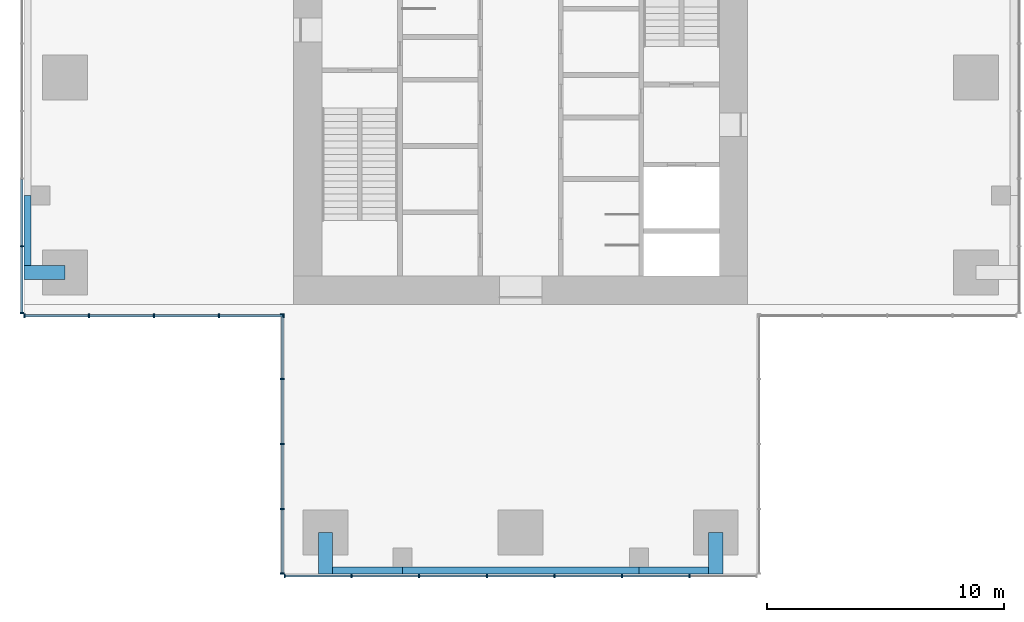
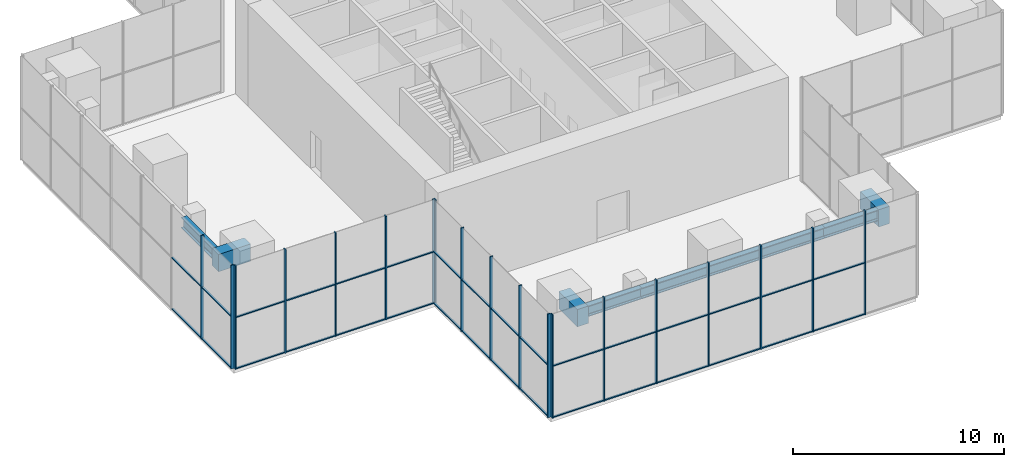
# One storey, part 2 of 11: 51 members, 7 beams, 4 elements without a shape of their own.
"""IFC4 building model written with IfcOpenShell, lengths in metres."""

from ifc_helpers import new_model, si_unit, direction, frame, origin, origin_2d, place, context, subcontext, project, spatial, rectangle, i_section, extrude, material, material_profile, profile_set, type_object, element, aggregate, save


model = new_model("IFC4")

# Units and contexts
model_context = context("Model", 3, precision=1e-05, world=origin(), true_north=direction((0.0, 1.0)))
body_context = subcontext(model_context, "Body", "Model", "MODEL_VIEW")
ifc_project = project(units=[si_unit("LENGTHUNIT", "METRE"), si_unit("AREAUNIT", "SQUARE_METRE"), si_unit("VOLUMEUNIT", "CUBIC_METRE"), si_unit("PLANEANGLEUNIT", "RADIAN"), si_unit("MASSUNIT", "GRAM", prefix="KILO")], contexts=[model_context])

# Site, building, storey
site_placement = place(None, origin())
site = spatial("IfcSite", under=ifc_project, at=site_placement, CompositionType="ELEMENT")
building_placement = place(site_placement, origin())
building = spatial("IfcBuilding", under=site, at=building_placement, Name="Svetlomir Tower", CompositionType="ELEMENT")
storey_placement = place(building_placement, frame((0.0, 0.0, 277.89990234375)))
storey = spatial("IfcBuildingStorey", under=building, at=storey_placement, Name="L66", CompositionType="ELEMENT", Elevation=277.89990234375)

# Curtain wall, members
ifc_material_1 = material(Name="Bronze anodised aluminium curtain wall", Category="aluminium")
curtain_wall_type = type_object("IfcCurtainWallType", Name="CURTAIN WALL CW6 LANTERN", PredefinedType="NOTDEFINED", material=ifc_material_1)
curtain_wall_1_placement = place(storey_placement, origin())
curtain_wall_1 = element("IfcCurtainWall", 1, at=curtain_wall_1_placement, inside=storey, type_object=curtain_wall_type, Name="Curtain wall CW6 L66", PredefinedType="NOTDEFINED")
ifc_material_2 = material(Name="Bronze anodised aluminium", Category="aluminium")
ifc_material_profile_1 = material_profile(ifc_material_2, rectangle(XDim=0.06005859375, YDim=0.159912109375, at=origin_2d()), Name="AL 60x160")
ifc_profile_set_1 = profile_set([ifc_material_profile_1], Name="Bronze anodised aluminium 6063-T6")
member_type_1 = type_object("IfcMemberType", Name="CW6 MULLION 60x160", PredefinedType="MULLION", material=ifc_profile_set_1)
member_1_placement = place(storey_placement, frame((11.030029296875, -0.080078125, 0.0), z_axis=(0.0, 0.0, 1.0), x_axis=(1.0, 0.0, 0.0)))
member_1 = element("IfcMember", 2, at=member_1_placement, type_object=member_type_1, Name="CW6 mullion 1", PredefinedType="MULLION", context=body_context, shape_type="SweptSolid", body=[
    extrude(rectangle(XDim=0.06005859375, YDim=0.159912109375, at=origin_2d()), origin(), (0.0, 0.0, 1.0), 6.0),
])
member_2_placement = place(storey_placement, frame((13.857177734375, -0.080078125, 0.0), z_axis=(0.0, 0.0, 1.0), x_axis=(1.0, 0.0, 0.0)))
member_2 = element("IfcMember", 3, at=member_2_placement, type_object=member_type_1, Name="CW6 mullion 2", PredefinedType="MULLION", context=body_context, shape_type="SweptSolid", body=[
    extrude(rectangle(XDim=0.06005859375, YDim=0.159912109375, at=origin_2d()), origin(), (0.0, 0.0, 1.0), 6.0),
])
member_3_placement = place(storey_placement, frame((16.71435546875, -0.080078125, 0.0), z_axis=(0.0, 0.0, 1.0), x_axis=(1.0, 0.0, 0.0)))
member_3 = element("IfcMember", 4, at=member_3_placement, type_object=member_type_1, Name="CW6 mullion 3", PredefinedType="MULLION", context=body_context, shape_type="SweptSolid", body=[
    extrude(rectangle(XDim=0.06005859375, YDim=0.159912109375, at=origin_2d()), origin(), (0.0, 0.0, 1.0), 6.0),
])
member_4_placement = place(storey_placement, frame((19.571533203125, -0.080078125, 0.0), z_axis=(0.0, 0.0, 1.0), x_axis=(1.0, 0.0, 0.0)))
member_4 = element("IfcMember", 5, at=member_4_placement, type_object=member_type_1, Name="CW6 mullion 4", PredefinedType="MULLION", context=body_context, shape_type="SweptSolid", body=[
    extrude(rectangle(XDim=0.06005859375, YDim=0.159912109375, at=origin_2d()), origin(), (0.0, 0.0, 1.0), 6.0),
])
member_5_placement = place(storey_placement, frame((22.428466796875, -0.080078125, 0.0), z_axis=(0.0, 0.0, 1.0), x_axis=(1.0, 0.0, 0.0)))
member_5 = element("IfcMember", 6, at=member_5_placement, type_object=member_type_1, Name="CW6 mullion 5", PredefinedType="MULLION", context=body_context, shape_type="SweptSolid", body=[
    extrude(rectangle(XDim=0.06005859375, YDim=0.159912109375, at=origin_2d()), origin(), (0.0, 0.0, 1.0), 6.0),
])
member_6_placement = place(storey_placement, frame((25.28564453125, -0.080078125, 0.0), z_axis=(0.0, 0.0, 1.0), x_axis=(1.0, 0.0, 0.0)))
member_6 = element("IfcMember", 7, at=member_6_placement, type_object=member_type_1, Name="CW6 mullion 6", PredefinedType="MULLION", context=body_context, shape_type="SweptSolid", body=[
    extrude(rectangle(XDim=0.06005859375, YDim=0.159912109375, at=origin_2d()), origin(), (0.0, 0.0, 1.0), 6.0),
])
member_7_placement = place(storey_placement, frame((28.142822265625, -0.080078125, 0.0), z_axis=(0.0, 0.0, 1.0), x_axis=(1.0, 0.0, 0.0)))
member_7 = element("IfcMember", 8, at=member_7_placement, type_object=member_type_1, Name="CW6 mullion 7", PredefinedType="MULLION", context=body_context, shape_type="SweptSolid", body=[
    extrude(rectangle(XDim=0.06005859375, YDim=0.159912109375, at=origin_2d()), origin(), (0.0, 0.0, 1.0), 6.0),
])

curtain_wall_2_placement = place(storey_placement, origin())
curtain_wall_2 = element("IfcCurtainWall", 9, at=curtain_wall_2_placement, inside=storey, type_object=curtain_wall_type, Name="Curtain wall CW6 L66", PredefinedType="NOTDEFINED")
member_8_placement = place(storey_placement, frame((-0.080078125, 13.857177734375, 0.0), z_axis=(0.0, 0.0, 1.0), x_axis=(0.0, -1.0, 0.0)))
member_8 = element("IfcMember", 10, at=member_8_placement, type_object=member_type_1, Name="CW6 mullion 7", PredefinedType="MULLION", context=body_context, shape_type="SweptSolid", body=[
    extrude(rectangle(XDim=0.06005859375, YDim=0.159912109375, at=origin_2d()), origin(), (0.0, 0.0, 1.0), 6.0),
])
member_9_placement = place(storey_placement, frame((-0.080078125, 11.030029296875, 0.0), z_axis=(0.0, 0.0, 1.0), x_axis=(0.0, -1.0, 0.0)))
member_9 = element("IfcMember", 11, at=member_9_placement, type_object=member_type_1, Name="CW6 mullion 8", PredefinedType="MULLION", context=body_context, shape_type="SweptSolid", body=[
    extrude(rectangle(XDim=0.06005859375, YDim=0.159912109375, at=origin_2d()), origin(), (0.0, 0.0, 1.0), 6.0),
])

curtain_wall_3_placement = place(storey_placement, origin())
curtain_wall_3 = element("IfcCurtainWall", 12, at=curtain_wall_3_placement, inside=storey, type_object=curtain_wall_type, Name="Curtain wall CW6 L66", PredefinedType="NOTDEFINED")
member_10_placement = place(storey_placement, frame((0.030029296875, 10.919921875, 0.0), z_axis=(0.0, 0.0, 1.0), x_axis=(1.0, 0.0, 0.0)))
member_10 = element("IfcMember", 13, at=member_10_placement, type_object=member_type_1, Name="CW6 mullion 1", PredefinedType="MULLION", context=body_context, shape_type="SweptSolid", body=[
    extrude(rectangle(XDim=0.06005859375, YDim=0.159912109375, at=origin_2d()), origin(), (0.0, 0.0, 1.0), 6.0),
])
member_11_placement = place(storey_placement, frame((2.75, 10.919921875, 0.0), z_axis=(0.0, 0.0, 1.0), x_axis=(1.0, 0.0, 0.0)))
member_11 = element("IfcMember", 14, at=member_11_placement, type_object=member_type_1, Name="CW6 mullion 2", PredefinedType="MULLION", context=body_context, shape_type="SweptSolid", body=[
    extrude(rectangle(XDim=0.06005859375, YDim=0.159912109375, at=origin_2d()), origin(), (0.0, 0.0, 1.0), 6.0),
])
member_12_placement = place(storey_placement, frame((5.5, 10.919921875, 0.0), z_axis=(0.0, 0.0, 1.0), x_axis=(1.0, 0.0, 0.0)))
member_12 = element("IfcMember", 15, at=member_12_placement, type_object=member_type_1, Name="CW6 mullion 3", PredefinedType="MULLION", context=body_context, shape_type="SweptSolid", body=[
    extrude(rectangle(XDim=0.06005859375, YDim=0.159912109375, at=origin_2d()), origin(), (0.0, 0.0, 1.0), 6.0),
])
member_13_placement = place(storey_placement, frame((8.25, 10.919921875, 0.0), z_axis=(0.0, 0.0, 1.0), x_axis=(1.0, 0.0, 0.0)))
member_13 = element("IfcMember", 16, at=member_13_placement, type_object=member_type_1, Name="CW6 mullion 4", PredefinedType="MULLION", context=body_context, shape_type="SweptSolid", body=[
    extrude(rectangle(XDim=0.06005859375, YDim=0.159912109375, at=origin_2d()), origin(), (0.0, 0.0, 1.0), 6.0),
])
member_14_placement = place(storey_placement, frame((10.969970703125, 10.919921875, 0.0), z_axis=(0.0, 0.0, 1.0), x_axis=(1.0, 0.0, 0.0)))
member_14 = element("IfcMember", 17, at=member_14_placement, type_object=member_type_1, Name="CW6 mullion 5", PredefinedType="MULLION", context=body_context, shape_type="SweptSolid", body=[
    extrude(rectangle(XDim=0.06005859375, YDim=0.159912109375, at=origin_2d()), origin(), (0.0, 0.0, 1.0), 6.0),
])

curtain_wall_4_placement = place(storey_placement, origin())
curtain_wall_4 = element("IfcCurtainWall", 18, at=curtain_wall_4_placement, inside=storey, type_object=curtain_wall_type, Name="Curtain wall CW6 L66", PredefinedType="NOTDEFINED")
member_15_placement = place(storey_placement, frame((10.919921875, 10.969970703125, 0.0), z_axis=(0.0, 0.0, 1.0), x_axis=(0.0, -1.0, 0.0)))
member_15 = element("IfcMember", 19, at=member_15_placement, type_object=member_type_1, Name="CW6 mullion 1", PredefinedType="MULLION", context=body_context, shape_type="SweptSolid", body=[
    extrude(rectangle(XDim=0.06005859375, YDim=0.159912109375, at=origin_2d()), origin(), (0.0, 0.0, 1.0), 6.0),
])
member_16_placement = place(storey_placement, frame((10.919921875, 8.25, 0.0), z_axis=(0.0, 0.0, 1.0), x_axis=(0.0, -1.0, 0.0)))
member_16 = element("IfcMember", 20, at=member_16_placement, type_object=member_type_1, Name="CW6 mullion 2", PredefinedType="MULLION", context=body_context, shape_type="SweptSolid", body=[
    extrude(rectangle(XDim=0.06005859375, YDim=0.159912109375, at=origin_2d()), origin(), (0.0, 0.0, 1.0), 6.0),
])
member_17_placement = place(storey_placement, frame((10.919921875, 5.5, 0.0), z_axis=(0.0, 0.0, 1.0), x_axis=(0.0, -1.0, 0.0)))
member_17 = element("IfcMember", 21, at=member_17_placement, type_object=member_type_1, Name="CW6 mullion 3", PredefinedType="MULLION", context=body_context, shape_type="SweptSolid", body=[
    extrude(rectangle(XDim=0.06005859375, YDim=0.159912109375, at=origin_2d()), origin(), (0.0, 0.0, 1.0), 6.0),
])
member_18_placement = place(storey_placement, frame((10.919921875, 2.75, 0.0), z_axis=(0.0, 0.0, 1.0), x_axis=(0.0, -1.0, 0.0)))
member_18 = element("IfcMember", 22, at=member_18_placement, type_object=member_type_1, Name="CW6 mullion 4", PredefinedType="MULLION", context=body_context, shape_type="SweptSolid", body=[
    extrude(rectangle(XDim=0.06005859375, YDim=0.159912109375, at=origin_2d()), origin(), (0.0, 0.0, 1.0), 6.0),
])
member_19_placement = place(storey_placement, frame((10.919921875, 0.030029296875, 0.0), z_axis=(0.0, 0.0, 1.0), x_axis=(0.0, -1.0, 0.0)))
member_19 = element("IfcMember", 23, at=member_19_placement, type_object=member_type_1, Name="CW6 mullion 5", PredefinedType="MULLION", context=body_context, shape_type="SweptSolid", body=[
    extrude(rectangle(XDim=0.06005859375, YDim=0.159912109375, at=origin_2d()), origin(), (0.0, 0.0, 1.0), 6.0),
])

# Member
ifc_material_3 = material(Name="Bronze anodised aluminium", Category="aluminium")
ifc_material_profile_2 = material_profile(ifc_material_3, rectangle(XDim=0.10009765625, YDim=0.06005859375, at=origin_2d()), Name="AL 100x60")
ifc_profile_set_2 = profile_set([ifc_material_profile_2], Name="Bronze anodised aluminium 6063-T6")
member_type_2 = type_object("IfcMemberType", Name="CW6 TRANSOM 60x100", PredefinedType="USERDEFINED", material=ifc_profile_set_2)
member_20_placement = place(storey_placement, frame((11.06005859375, -0.080078125, 0.030029296875), z_axis=(1.0, 0.0, 0.0), x_axis=(0.0, 1.0, 0.0)))
member_20 = element("IfcMember", 24, at=member_20_placement, type_object=member_type_2, Name="CW6 transom 1.1", ObjectType="TRANSOM", PredefinedType="USERDEFINED", context=body_context, shape_type="SweptSolid", body=[
    extrude(rectangle(XDim=0.10009765625, YDim=0.06005859375, at=origin_2d()), origin(), (0.0, 0.0, 1.0), 2.76708984375),
])

member_21_placement = place(storey_placement, frame((11.06005859375, -0.080078125, 3.0), z_axis=(1.0, 0.0, 0.0), x_axis=(0.0, 1.0, 0.0)))
member_21 = element("IfcMember", 25, at=member_21_placement, type_object=member_type_2, Name="CW6 transom 1.2", ObjectType="TRANSOM", PredefinedType="USERDEFINED", context=body_context, shape_type="SweptSolid", body=[
    extrude(rectangle(XDim=0.10009765625, YDim=0.06005859375, at=origin_2d()), origin(), (0.0, 0.0, 1.0), 2.76708984375),
])

member_22_placement = place(storey_placement, frame((13.88720703125, -0.080078125, 0.030029296875), z_axis=(1.0, 0.0, 0.0), x_axis=(0.0, 1.0, 0.0)))
member_22 = element("IfcMember", 26, at=member_22_placement, type_object=member_type_2, Name="CW6 transom 2.1", ObjectType="TRANSOM", PredefinedType="USERDEFINED", context=body_context, shape_type="SweptSolid", body=[
    extrude(rectangle(XDim=0.10009765625, YDim=0.06005859375, at=origin_2d()), origin(), (0.0, 0.0, 1.0), 2.797119140625),
])

member_23_placement = place(storey_placement, frame((13.88720703125, -0.080078125, 3.0), z_axis=(1.0, 0.0, 0.0), x_axis=(0.0, 1.0, 0.0)))
member_23 = element("IfcMember", 27, at=member_23_placement, type_object=member_type_2, Name="CW6 transom 2.2", ObjectType="TRANSOM", PredefinedType="USERDEFINED", context=body_context, shape_type="SweptSolid", body=[
    extrude(rectangle(XDim=0.10009765625, YDim=0.06005859375, at=origin_2d()), origin(), (0.0, 0.0, 1.0), 2.797119140625),
])

member_24_placement = place(storey_placement, frame((16.744384765625, -0.080078125, 0.030029296875), z_axis=(1.0, 0.0, 0.0), x_axis=(0.0, 1.0, 0.0)))
member_24 = element("IfcMember", 28, at=member_24_placement, type_object=member_type_2, Name="CW6 transom 3.1", ObjectType="TRANSOM", PredefinedType="USERDEFINED", context=body_context, shape_type="SweptSolid", body=[
    extrude(rectangle(XDim=0.10009765625, YDim=0.06005859375, at=origin_2d()), origin(), (0.0, 0.0, 1.0), 2.797119140625),
])

member_25_placement = place(storey_placement, frame((16.744384765625, -0.080078125, 3.0), z_axis=(1.0, 0.0, 0.0), x_axis=(0.0, 1.0, 0.0)))
member_25 = element("IfcMember", 29, at=member_25_placement, type_object=member_type_2, Name="CW6 transom 3.2", ObjectType="TRANSOM", PredefinedType="USERDEFINED", context=body_context, shape_type="SweptSolid", body=[
    extrude(rectangle(XDim=0.10009765625, YDim=0.06005859375, at=origin_2d()), origin(), (0.0, 0.0, 1.0), 2.797119140625),
])

member_26_placement = place(storey_placement, frame((19.601318359375, -0.080078125, 0.030029296875), z_axis=(1.0, 0.0, 0.0), x_axis=(0.0, 1.0, 0.0)))
member_26 = element("IfcMember", 30, at=member_26_placement, type_object=member_type_2, Name="CW6 transom 4.1", ObjectType="TRANSOM", PredefinedType="USERDEFINED", context=body_context, shape_type="SweptSolid", body=[
    extrude(rectangle(XDim=0.10009765625, YDim=0.06005859375, at=origin_2d()), origin(), (0.0, 0.0, 1.0), 2.79736328125),
])

member_27_placement = place(storey_placement, frame((19.601318359375, -0.080078125, 3.0), z_axis=(1.0, 0.0, 0.0), x_axis=(0.0, 1.0, 0.0)))
member_27 = element("IfcMember", 31, at=member_27_placement, type_object=member_type_2, Name="CW6 transom 4.2", ObjectType="TRANSOM", PredefinedType="USERDEFINED", context=body_context, shape_type="SweptSolid", body=[
    extrude(rectangle(XDim=0.10009765625, YDim=0.06005859375, at=origin_2d()), origin(), (0.0, 0.0, 1.0), 2.79736328125),
])

member_28_placement = place(storey_placement, frame((22.45849609375, -0.080078125, 0.030029296875), z_axis=(1.0, 0.0, 0.0), x_axis=(0.0, 1.0, 0.0)))
member_28 = element("IfcMember", 32, at=member_28_placement, type_object=member_type_2, Name="CW6 transom 5.1", ObjectType="TRANSOM", PredefinedType="USERDEFINED", context=body_context, shape_type="SweptSolid", body=[
    extrude(rectangle(XDim=0.10009765625, YDim=0.06005859375, at=origin_2d()), origin(), (0.0, 0.0, 1.0), 2.797119140625),
])

member_29_placement = place(storey_placement, frame((22.45849609375, -0.080078125, 3.0), z_axis=(1.0, 0.0, 0.0), x_axis=(0.0, 1.0, 0.0)))
member_29 = element("IfcMember", 33, at=member_29_placement, type_object=member_type_2, Name="CW6 transom 5.2", ObjectType="TRANSOM", PredefinedType="USERDEFINED", context=body_context, shape_type="SweptSolid", body=[
    extrude(rectangle(XDim=0.10009765625, YDim=0.06005859375, at=origin_2d()), origin(), (0.0, 0.0, 1.0), 2.797119140625),
])

member_30_placement = place(storey_placement, frame((25.315673828125, -0.080078125, 0.030029296875), z_axis=(1.0, 0.0, 0.0), x_axis=(0.0, 1.0, 0.0)))
member_30 = element("IfcMember", 34, at=member_30_placement, type_object=member_type_2, Name="CW6 transom 6.1", ObjectType="TRANSOM", PredefinedType="USERDEFINED", context=body_context, shape_type="SweptSolid", body=[
    extrude(rectangle(XDim=0.10009765625, YDim=0.06005859375, at=origin_2d()), origin(), (0.0, 0.0, 1.0), 2.797119140625),
])

member_31_placement = place(storey_placement, frame((25.315673828125, -0.080078125, 3.0), z_axis=(1.0, 0.0, 0.0), x_axis=(0.0, 1.0, 0.0)))
member_31 = element("IfcMember", 35, at=member_31_placement, type_object=member_type_2, Name="CW6 transom 6.2", ObjectType="TRANSOM", PredefinedType="USERDEFINED", context=body_context, shape_type="SweptSolid", body=[
    extrude(rectangle(XDim=0.10009765625, YDim=0.06005859375, at=origin_2d()), origin(), (0.0, 0.0, 1.0), 2.797119140625),
])

aggregate(curtain_wall_1, [member_1, member_2, member_3, member_4, member_5, member_6, member_7, member_20, member_21, member_22, member_23, member_24, member_25, member_26, member_27, member_28, member_29, member_30, member_31])

member_32_placement = place(storey_placement, frame((-0.080078125, 16.684326171875, 0.030029296875), z_axis=(0.0, -1.0, 0.0), x_axis=(1.0, 0.0, 0.0)))
member_32 = element("IfcMember", 36, at=member_32_placement, type_object=member_type_2, Name="CW6 transom 6.1", ObjectType="TRANSOM", PredefinedType="USERDEFINED", context=body_context, shape_type="SweptSolid", body=[
    extrude(rectangle(XDim=0.10009765625, YDim=0.06005859375, at=origin_2d()), origin(), (0.0, 0.0, 1.0), 2.797119140625),
])

member_33_placement = place(storey_placement, frame((-0.080078125, 16.684326171875, 3.0), z_axis=(0.0, -1.0, 0.0), x_axis=(1.0, 0.0, 0.0)))
member_33 = element("IfcMember", 37, at=member_33_placement, type_object=member_type_2, Name="CW6 transom 6.2", ObjectType="TRANSOM", PredefinedType="USERDEFINED", context=body_context, shape_type="SweptSolid", body=[
    extrude(rectangle(XDim=0.10009765625, YDim=0.06005859375, at=origin_2d()), origin(), (0.0, 0.0, 1.0), 2.797119140625),
])

member_34_placement = place(storey_placement, frame((-0.080078125, 13.8271484375, 0.030029296875), z_axis=(0.0, -1.0, 0.0), x_axis=(1.0, 0.0, 0.0)))
member_34 = element("IfcMember", 38, at=member_34_placement, type_object=member_type_2, Name="CW6 transom 7.1", ObjectType="TRANSOM", PredefinedType="USERDEFINED", context=body_context, shape_type="SweptSolid", body=[
    extrude(rectangle(XDim=0.10009765625, YDim=0.06005859375, at=origin_2d()), origin(), (0.0, 0.0, 1.0), 2.76708984375),
])

member_35_placement = place(storey_placement, frame((-0.080078125, 13.8271484375, 3.0), z_axis=(0.0, -1.0, 0.0), x_axis=(1.0, 0.0, 0.0)))
member_35 = element("IfcMember", 39, at=member_35_placement, type_object=member_type_2, Name="CW6 transom 7.2", ObjectType="TRANSOM", PredefinedType="USERDEFINED", context=body_context, shape_type="SweptSolid", body=[
    extrude(rectangle(XDim=0.10009765625, YDim=0.06005859375, at=origin_2d()), origin(), (0.0, 0.0, 1.0), 2.76708984375),
])

aggregate(curtain_wall_2, [member_8, member_9, member_32, member_33, member_34, member_35])

member_36_placement = place(storey_placement, frame((0.06005859375, 10.919921875, 0.030029296875), z_axis=(1.0, 0.0, 0.0), x_axis=(0.0, 1.0, 0.0)))
member_36 = element("IfcMember", 40, at=member_36_placement, type_object=member_type_2, Name="CW6 transom 1.1", ObjectType="TRANSOM", PredefinedType="USERDEFINED", context=body_context, shape_type="SweptSolid", body=[
    extrude(rectangle(XDim=0.10009765625, YDim=0.06005859375, at=origin_2d()), origin(), (0.0, 0.0, 1.0), 2.659912109375),
])

member_37_placement = place(storey_placement, frame((0.06005859375, 10.919921875, 3.0), z_axis=(1.0, 0.0, 0.0), x_axis=(0.0, 1.0, 0.0)))
member_37 = element("IfcMember", 41, at=member_37_placement, type_object=member_type_2, Name="CW6 transom 1.2", ObjectType="TRANSOM", PredefinedType="USERDEFINED", context=body_context, shape_type="SweptSolid", body=[
    extrude(rectangle(XDim=0.10009765625, YDim=0.06005859375, at=origin_2d()), origin(), (0.0, 0.0, 1.0), 2.659912109375),
])

member_38_placement = place(storey_placement, frame((2.780029296875, 10.919921875, 0.030029296875), z_axis=(1.0, 0.0, 0.0), x_axis=(0.0, 1.0, 0.0)))
member_38 = element("IfcMember", 42, at=member_38_placement, type_object=member_type_2, Name="CW6 transom 2.1", ObjectType="TRANSOM", PredefinedType="USERDEFINED", context=body_context, shape_type="SweptSolid", body=[
    extrude(rectangle(XDim=0.10009765625, YDim=0.06005859375, at=origin_2d()), origin(), (0.0, 0.0, 1.0), 2.68994140625),
])

member_39_placement = place(storey_placement, frame((2.780029296875, 10.919921875, 3.0), z_axis=(1.0, 0.0, 0.0), x_axis=(0.0, 1.0, 0.0)))
member_39 = element("IfcMember", 43, at=member_39_placement, type_object=member_type_2, Name="CW6 transom 2.2", ObjectType="TRANSOM", PredefinedType="USERDEFINED", context=body_context, shape_type="SweptSolid", body=[
    extrude(rectangle(XDim=0.10009765625, YDim=0.06005859375, at=origin_2d()), origin(), (0.0, 0.0, 1.0), 2.68994140625),
])

member_40_placement = place(storey_placement, frame((5.530029296875, 10.919921875, 0.030029296875), z_axis=(1.0, 0.0, 0.0), x_axis=(0.0, 1.0, 0.0)))
member_40 = element("IfcMember", 44, at=member_40_placement, type_object=member_type_2, Name="CW6 transom 3.1", ObjectType="TRANSOM", PredefinedType="USERDEFINED", context=body_context, shape_type="SweptSolid", body=[
    extrude(rectangle(XDim=0.10009765625, YDim=0.06005859375, at=origin_2d()), origin(), (0.0, 0.0, 1.0), 2.68994140625),
])

member_41_placement = place(storey_placement, frame((5.530029296875, 10.919921875, 3.0), z_axis=(1.0, 0.0, 0.0), x_axis=(0.0, 1.0, 0.0)))
member_41 = element("IfcMember", 45, at=member_41_placement, type_object=member_type_2, Name="CW6 transom 3.2", ObjectType="TRANSOM", PredefinedType="USERDEFINED", context=body_context, shape_type="SweptSolid", body=[
    extrude(rectangle(XDim=0.10009765625, YDim=0.06005859375, at=origin_2d()), origin(), (0.0, 0.0, 1.0), 2.68994140625),
])

member_42_placement = place(storey_placement, frame((8.280029296875, 10.919921875, 0.030029296875), z_axis=(1.0, 0.0, 0.0), x_axis=(0.0, 1.0, 0.0)))
member_42 = element("IfcMember", 46, at=member_42_placement, type_object=member_type_2, Name="CW6 transom 4.1", ObjectType="TRANSOM", PredefinedType="USERDEFINED", context=body_context, shape_type="SweptSolid", body=[
    extrude(rectangle(XDim=0.10009765625, YDim=0.06005859375, at=origin_2d()), origin(), (0.0, 0.0, 1.0), 2.659912109375),
])

member_43_placement = place(storey_placement, frame((8.280029296875, 10.919921875, 3.0), z_axis=(1.0, 0.0, 0.0), x_axis=(0.0, 1.0, 0.0)))
member_43 = element("IfcMember", 47, at=member_43_placement, type_object=member_type_2, Name="CW6 transom 4.2", ObjectType="TRANSOM", PredefinedType="USERDEFINED", context=body_context, shape_type="SweptSolid", body=[
    extrude(rectangle(XDim=0.10009765625, YDim=0.06005859375, at=origin_2d()), origin(), (0.0, 0.0, 1.0), 2.659912109375),
])

aggregate(curtain_wall_3, [member_10, member_11, member_12, member_13, member_14, member_36, member_37, member_38, member_39, member_40, member_41, member_42, member_43])

member_44_placement = place(storey_placement, frame((10.919921875, 10.93994140625, 0.030029296875), z_axis=(0.0, -1.0, 0.0), x_axis=(1.0, 0.0, 0.0)))
member_44 = element("IfcMember", 48, at=member_44_placement, type_object=member_type_2, Name="CW6 transom 1.1", ObjectType="TRANSOM", PredefinedType="USERDEFINED", context=body_context, shape_type="SweptSolid", body=[
    extrude(rectangle(XDim=0.10009765625, YDim=0.06005859375, at=origin_2d()), origin(), (0.0, 0.0, 1.0), 2.659912109375),
])

member_45_placement = place(storey_placement, frame((10.919921875, 10.93994140625, 3.0), z_axis=(0.0, -1.0, 0.0), x_axis=(1.0, 0.0, 0.0)))
member_45 = element("IfcMember", 49, at=member_45_placement, type_object=member_type_2, Name="CW6 transom 1.2", ObjectType="TRANSOM", PredefinedType="USERDEFINED", context=body_context, shape_type="SweptSolid", body=[
    extrude(rectangle(XDim=0.10009765625, YDim=0.06005859375, at=origin_2d()), origin(), (0.0, 0.0, 1.0), 2.659912109375),
])

member_46_placement = place(storey_placement, frame((10.919921875, 8.219970703125, 0.030029296875), z_axis=(0.0, -1.0, 0.0), x_axis=(1.0, 0.0, 0.0)))
member_46 = element("IfcMember", 50, at=member_46_placement, type_object=member_type_2, Name="CW6 transom 2.1", ObjectType="TRANSOM", PredefinedType="USERDEFINED", context=body_context, shape_type="SweptSolid", body=[
    extrude(rectangle(XDim=0.10009765625, YDim=0.06005859375, at=origin_2d()), origin(), (0.0, 0.0, 1.0), 2.68994140625),
])

member_47_placement = place(storey_placement, frame((10.919921875, 8.219970703125, 3.0), z_axis=(0.0, -1.0, 0.0), x_axis=(1.0, 0.0, 0.0)))
member_47 = element("IfcMember", 51, at=member_47_placement, type_object=member_type_2, Name="CW6 transom 2.2", ObjectType="TRANSOM", PredefinedType="USERDEFINED", context=body_context, shape_type="SweptSolid", body=[
    extrude(rectangle(XDim=0.10009765625, YDim=0.06005859375, at=origin_2d()), origin(), (0.0, 0.0, 1.0), 2.68994140625),
])

member_48_placement = place(storey_placement, frame((10.919921875, 5.469970703125, 0.030029296875), z_axis=(0.0, -1.0, 0.0), x_axis=(1.0, 0.0, 0.0)))
member_48 = element("IfcMember", 52, at=member_48_placement, type_object=member_type_2, Name="CW6 transom 3.1", ObjectType="TRANSOM", PredefinedType="USERDEFINED", context=body_context, shape_type="SweptSolid", body=[
    extrude(rectangle(XDim=0.10009765625, YDim=0.06005859375, at=origin_2d()), origin(), (0.0, 0.0, 1.0), 2.68994140625),
])

member_49_placement = place(storey_placement, frame((10.919921875, 5.469970703125, 3.0), z_axis=(0.0, -1.0, 0.0), x_axis=(1.0, 0.0, 0.0)))
member_49 = element("IfcMember", 53, at=member_49_placement, type_object=member_type_2, Name="CW6 transom 3.2", ObjectType="TRANSOM", PredefinedType="USERDEFINED", context=body_context, shape_type="SweptSolid", body=[
    extrude(rectangle(XDim=0.10009765625, YDim=0.06005859375, at=origin_2d()), origin(), (0.0, 0.0, 1.0), 2.68994140625),
])

member_50_placement = place(storey_placement, frame((10.919921875, 2.719970703125, 0.030029296875), z_axis=(0.0, -1.0, 0.0), x_axis=(1.0, 0.0, 0.0)))
member_50 = element("IfcMember", 54, at=member_50_placement, type_object=member_type_2, Name="CW6 transom 4.1", ObjectType="TRANSOM", PredefinedType="USERDEFINED", context=body_context, shape_type="SweptSolid", body=[
    extrude(rectangle(XDim=0.10009765625, YDim=0.06005859375, at=origin_2d()), origin(), (0.0, 0.0, 1.0), 2.659912109375),
])

member_51_placement = place(storey_placement, frame((10.919921875, 2.719970703125, 3.0), z_axis=(0.0, -1.0, 0.0), x_axis=(1.0, 0.0, 0.0)))
member_51 = element("IfcMember", 55, at=member_51_placement, type_object=member_type_2, Name="CW6 transom 4.2", ObjectType="TRANSOM", PredefinedType="USERDEFINED", context=body_context, shape_type="SweptSolid", body=[
    extrude(rectangle(XDim=0.10009765625, YDim=0.06005859375, at=origin_2d()), origin(), (0.0, 0.0, 1.0), 2.659912109375),
])

aggregate(curtain_wall_4, [member_15, member_16, member_17, member_18, member_19, member_44, member_45, member_46, member_47, member_48, member_49, member_50, member_51])

# Beams
ifc_material_4 = material(Name="Steel S355", Category="steel")
ifc_material_profile_3 = material_profile(ifc_material_4, i_section(OverallWidth=0.304931640625, OverallDepth=0.6201171875, WebThickness=0.02099609375, FlangeThickness=0.0400390625, FilletRadius=0.027099609375, at=origin_2d()), Name="HEM 600")
ifc_profile_set_3 = profile_set([ifc_material_profile_3], Name="Steel S355")
beam_type_1 = type_object("IfcBeamType", Name="EDGE BEAM HEM 600", PredefinedType="SPANDREL", material=ifc_profile_set_3)
for number, where, z_axis, x_axis, name in (
    (56, (13.050048828125, 0.152587890625, 5.39013671875), (1.0, 0.0, 0.0), (0.0, 1.0, 0.0), "Edge beam 11/0 to 16/0 under L67"),
    (57, (0.152587890625, 13.050048828125, 5.39013671875), (0.0, 1.0, 0.0), (-1.0, 0.0, 0.0), "Edge beam 0/11 to 0/16 under L67"),
):
    element("IfcBeam", number, at=place(storey_placement, frame(where, z_axis=z_axis, x_axis=x_axis)), inside=storey, type_object=beam_type_1, Name=name, PredefinedType="SPANDREL", context=body_context, shape_type="SweptSolid", body=[
        extrude(i_section(OverallWidth=0.304931640625, OverallDepth=0.6201171875, WebThickness=0.02099609375, FlangeThickness=0.0400390625, FilletRadius=0.027099609375, at=origin_2d()), origin(), (0.0, 0.0, 1.0), 2.949951171875),
    ])
beam_1_placement = place(storey_placement, frame((16.0, 0.152587890625, 5.39013671875), z_axis=(1.0, 0.0, 0.0), x_axis=(0.0, 1.0, 0.0)))
element("IfcBeam", 58, at=beam_1_placement, inside=storey, type_object=beam_type_1, Name="Edge beam 16/0 to 26/0 under L67", PredefinedType="SPANDREL", context=body_context, shape_type="SweptSolid", body=[
    extrude(i_section(OverallWidth=0.304931640625, OverallDepth=0.6201171875, WebThickness=0.02099609375, FlangeThickness=0.0400390625, FilletRadius=0.027099609375, at=origin_2d()), origin(), (0.0, 0.0, 1.0), 10.0),
])
beam_2_placement = place(storey_placement, frame((26.0, 0.152587890625, 5.39013671875), z_axis=(1.0, 0.0, 0.0), x_axis=(0.0, 1.0, 0.0)))
element("IfcBeam", 59, at=beam_2_placement, inside=storey, type_object=beam_type_1, Name="Edge beam 26/0 to 31/0 under L67", PredefinedType="SPANDREL", context=body_context, shape_type="SweptSolid", body=[
    extrude(i_section(OverallWidth=0.304931640625, OverallDepth=0.6201171875, WebThickness=0.02099609375, FlangeThickness=0.0400390625, FilletRadius=0.027099609375, at=origin_2d()), origin(), (0.0, 0.0, 1.0), 2.949951171875),
])
ifc_material_5 = material(Name="Concrete C60/75", Category="concrete")
ifc_material_profile_4 = material_profile(ifc_material_5, rectangle(XDim=0.60009765625, YDim=1.0, at=origin_2d()), Name="RC 600x1000")
ifc_profile_set_4 = profile_set([ifc_material_profile_4], Name="Concrete C60/75")
beam_type_2 = type_object("IfcBeamType", Name="EDGE LINK BEAM RC 600x1000", PredefinedType="BEAM", material=ifc_profile_set_4)
for number, where, z_axis, x_axis, name in (
    (60, (1.75, 12.75, 5.2001953125), (-1.0, 0.0, 0.0), (0.0, -1.0, 0.0), "Edge link beam W 0/11 under L67"),
    (61, (12.75, 1.75, 5.2001953125), (0.0, -1.0, 0.0), (1.0, 0.0, 0.0), "Edge link beam S 11/0 under L67"),
    (62, (29.25, 1.75, 5.2001953125), (0.0, -1.0, 0.0), (1.0, 0.0, 0.0), "Edge link beam S 31/0 under L67"),
):
    element("IfcBeam", number, at=place(storey_placement, frame(where, z_axis=z_axis, x_axis=x_axis)), inside=storey, type_object=beam_type_2, Name=name, PredefinedType="BEAM", context=body_context, shape_type="SweptSolid", body=[
        extrude(rectangle(XDim=0.60009765625, YDim=1.0, at=origin_2d()), origin(), (0.0, 0.0, 1.0), 1.75),
    ])

save(model, "model.ifc")
